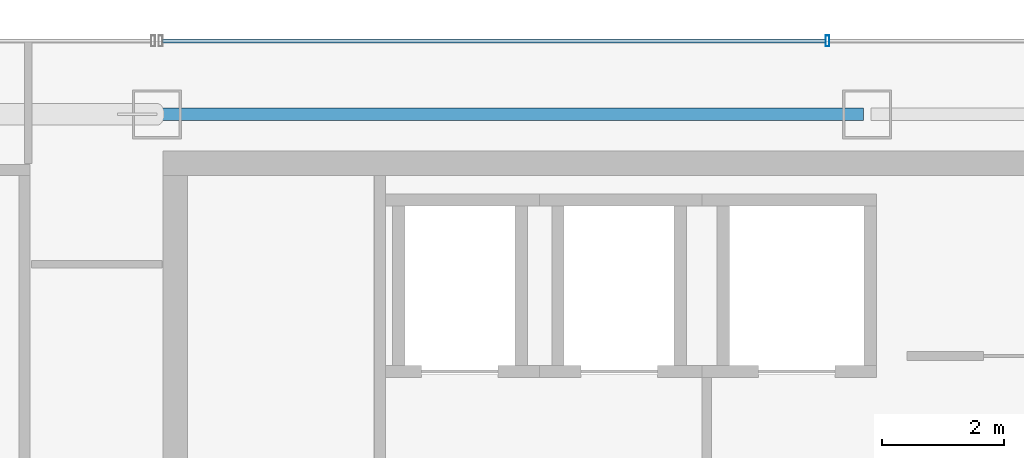
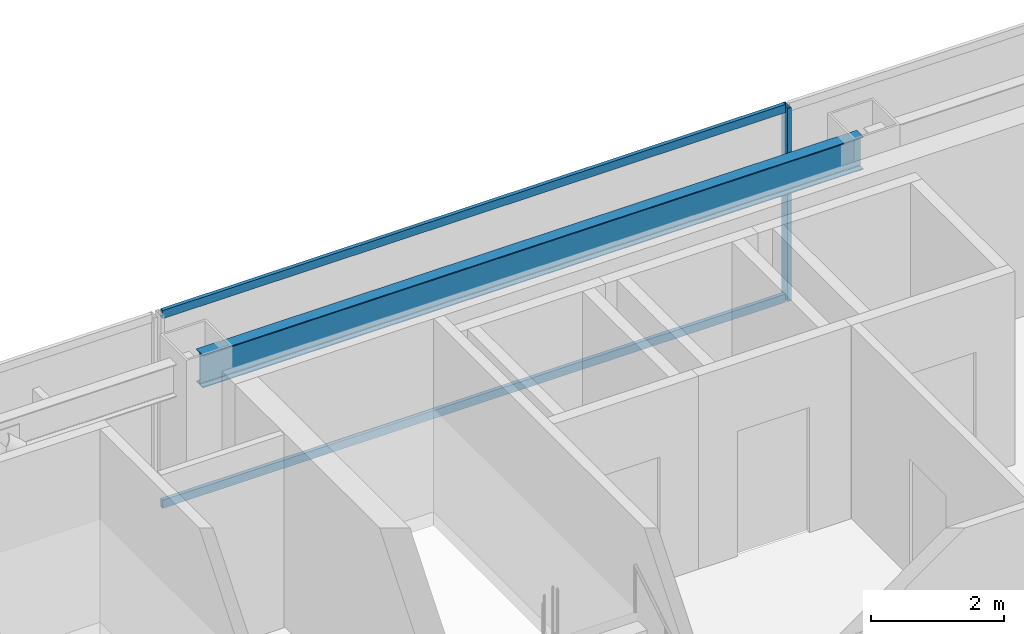
# One storey, part 20 of 32: 3 members, 1 beam, 1 element without a shape of its own.
"""IFC4 building model written with IfcOpenShell, lengths in metres."""

from ifc_helpers import new_model, si_unit, direction, frame, origin, origin_2d, place, context, subcontext, project, spatial, hollow_rectangle, i_section, extrude, material, material_profile, profile_set, type_object, element, aggregate, save


model = new_model("IFC4")

# Units and contexts
model_context = context("Model", 3, precision=1e-05, world=origin(), true_north=direction((0.0, 1.0)))
body_context = subcontext(model_context, "Body", "Model", "MODEL_VIEW")
ifc_project = project(units=[si_unit("LENGTHUNIT", "METRE"), si_unit("AREAUNIT", "SQUARE_METRE"), si_unit("VOLUMEUNIT", "CUBIC_METRE"), si_unit("PLANEANGLEUNIT", "RADIAN"), si_unit("MASSUNIT", "GRAM", prefix="KILO")], contexts=[model_context])

# Site, building, storey
site_placement = place(None, origin())
site = spatial("IfcSite", under=ifc_project, at=site_placement, CompositionType="ELEMENT")
building_placement = place(site_placement, origin())
building = spatial("IfcBuilding", under=site, at=building_placement, Name="Saevonmaru Cultural Tower", CompositionType="ELEMENT")
storey_placement = place(building_placement, frame((0.0, 0.0, 242.0)))
storey = spatial("IfcBuildingStorey", under=building, at=storey_placement, Name="L56", CompositionType="ELEMENT", Elevation=242.0)

# Beam
ifc_material_1 = material(Name="Steel SM355", Category="steel")
ifc_material_profile_1 = material_profile(ifc_material_1, i_section(OverallWidth=0.199951171875, OverallDepth=0.60009765625, WebThickness=0.010986328125, FlangeThickness=0.01708984375, FilletRadius=0.02197265625, at=origin_2d()), Name="H-600x200x11x17")
ifc_profile_set_1 = profile_set([ifc_material_profile_1], Name="Steel SM355")
beam_type = type_object("IfcBeamType", Name="BM-SP-H600", PredefinedType="SPANDREL", material=ifc_profile_set_1)
beam_placement = place(storey_placement, frame((13.659912109375, 54.800048828125, 3.25), z_axis=(1.0, 0.0, 0.0), x_axis=(0.0, 1.0, 0.0)))
element("IfcBeam", 1, at=beam_placement, inside=storey, type_object=beam_type, Name="L56 North Spine Girder 2", PredefinedType="SPANDREL", context=body_context, shape_type="SweptSolid", body=[
    extrude(i_section(OverallWidth=0.199951171875, OverallDepth=0.60009765625, WebThickness=0.010986328125, FlangeThickness=0.01708984375, FilletRadius=0.02197265625, at=origin_2d()), origin(), (0.0, 0.0, 1.0), 11.47998046875),
])

# Curtain wall, members
ifc_material_2 = material(Name="Satin Bronze Anodised Aluminium", Category="aluminium")
curtain_wall_type = type_object("IfcCurtainWallType", Name="CW-TYP-B", PredefinedType="NOTDEFINED", material=ifc_material_2)
curtain_wall_placement = place(storey_placement, origin())
curtain_wall = element("IfcCurtainWall", 2, at=curtain_wall_placement, inside=storey, type_object=curtain_wall_type, Name="L56 North Spine Unitised Curtain Wall E10B", PredefinedType="NOTDEFINED")
ifc_material_profile_2 = material_profile(ifc_material_2, hollow_rectangle(XDim=0.06494140625, YDim=0.179931640625, WallThickness=0.00390625, at=origin_2d()), Name="ALU-MULL-180x65x4")
ifc_profile_set_2 = profile_set([ifc_material_profile_2], Name="Satin Bronze Anodised Aluminium")
member_type_1 = type_object("IfcMemberType", Name="ML-CW-180x65", PredefinedType="MULLION", material=ifc_profile_set_2)
member_1_placement = place(storey_placement, frame((24.55322265625, 56.0, 0.0), z_axis=(0.0, 0.0, 1.0), x_axis=(-1.0, 0.0, 0.0)))
member_1 = element("IfcMember", 3, at=member_1_placement, type_object=member_type_1, Name="CW-TW-L56-E10B mullion 3", PredefinedType="MULLION", context=body_context, shape_type="SweptSolid", body=[
    extrude(hollow_rectangle(XDim=0.06494140625, YDim=0.179931640625, WallThickness=0.00390625, at=origin_2d()), origin(), (0.0, 0.0, 1.0), 3.550048828125),
])
ifc_material_profile_3 = material_profile(ifc_material_2, hollow_rectangle(XDim=0.06494140625, YDim=0.14990234375, WallThickness=0.00390625, at=origin_2d()), Name="ALU-TRAN-150x65x4")
ifc_profile_set_3 = profile_set([ifc_material_profile_3], Name="Satin Bronze Anodised Aluminium")
member_type_2 = type_object("IfcMemberType", Name="TR-CW-150x65", PredefinedType="USERDEFINED", material=ifc_profile_set_3)
member_2_placement = place(storey_placement, frame((24.520751953125, 56.0, 0.032470703125), z_axis=(-1.0, 0.0, 0.0), x_axis=(0.0, -1.0, 0.0)))
member_2 = element("IfcMember", 4, at=member_2_placement, type_object=member_type_2, Name="CW-TW-L56-E10B transom 3.1", ObjectType="TRANSOM", PredefinedType="USERDEFINED", context=body_context, shape_type="SweptSolid", body=[
    extrude(hollow_rectangle(XDim=0.06494140625, YDim=0.14990234375, WallThickness=0.00390625, at=origin_2d()), origin(), (0.0, 0.0, 1.0), 10.828369140625),
])
member_3_placement = place(storey_placement, frame((24.520751953125, 56.0, 3.517578125), z_axis=(-1.0, 0.0, 0.0), x_axis=(0.0, -1.0, 0.0)))
member_3 = element("IfcMember", 5, at=member_3_placement, type_object=member_type_2, Name="CW-TW-L56-E10B transom 3.2", ObjectType="TRANSOM", PredefinedType="USERDEFINED", context=body_context, shape_type="SweptSolid", body=[
    extrude(hollow_rectangle(XDim=0.06494140625, YDim=0.14990234375, WallThickness=0.00390625, at=origin_2d()), origin(), (0.0, 0.0, 1.0), 10.828369140625),
])
aggregate(curtain_wall, [member_1, member_2, member_3])

save(model, "model.ifc")
